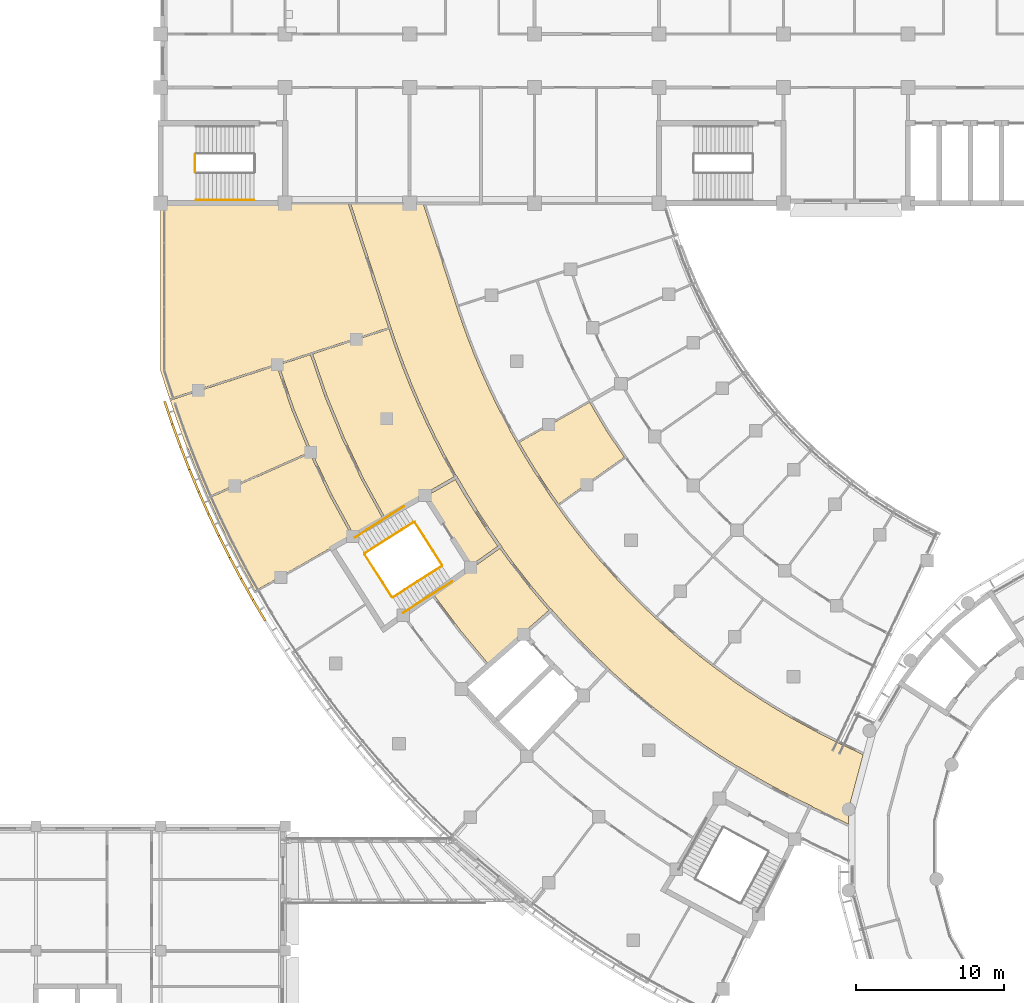
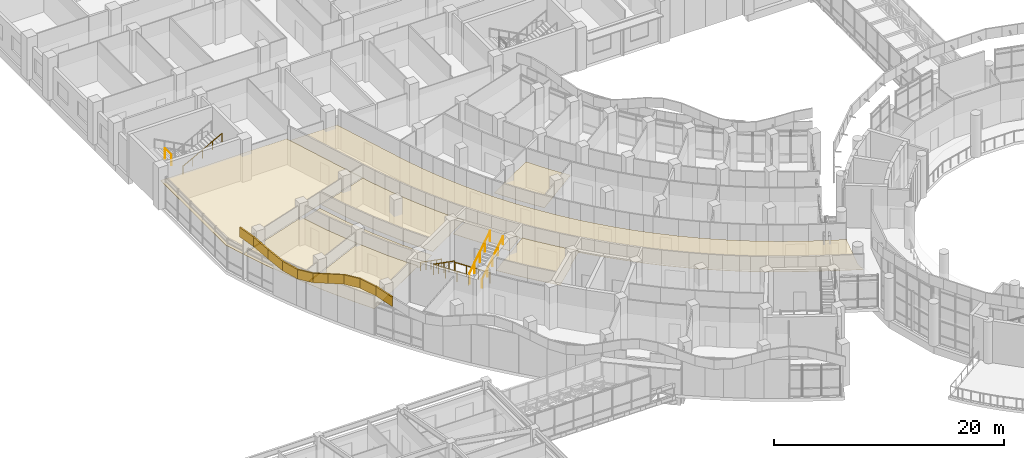
# One storey, part 120 of 136: 19 coverings, 8 railings.
"""IFC4 building model written with IfcOpenShell, lengths in metres."""

from ifc_helpers import new_model, si_unit, direction, frame, origin, origin_2d, place, context, subcontext, project, spatial, polyline, circle, outline, extrude, material, layer, layer_set, type_object, element, save


model = new_model("IFC4")

# Units and contexts
model_context = context("Model", 3, precision=1e-05, world=origin(), true_north=direction((0.0, 1.0)))
body_context = subcontext(model_context, "Body", "Model", "MODEL_VIEW")
ifc_project = project(units=[si_unit("LENGTHUNIT", "METRE"), si_unit("AREAUNIT", "SQUARE_METRE"), si_unit("VOLUMEUNIT", "CUBIC_METRE"), si_unit("PLANEANGLEUNIT", "RADIAN"), si_unit("MASSUNIT", "GRAM", prefix="KILO")], contexts=[model_context])

# Site, building, storey
site_placement = place(None, origin())
site = spatial("IfcSite", under=ifc_project, at=site_placement, CompositionType="ELEMENT")
building_placement = place(site_placement, origin())
building = spatial("IfcBuilding", under=site, at=building_placement, Name="Bougainvillea Quay General Hospital", CompositionType="ELEMENT")
storey_placement = place(building_placement, frame((0.0, 0.0, 5.39990234375)))
storey = spatial("IfcBuildingStorey", under=building, at=storey_placement, Name="L01", CompositionType="ELEMENT", Elevation=5.39990234375)

# Coverings
ifc_material_1 = material(Name="Powder-coated aluminium fascia, yellow", Category="aluminium")
ifc_layer_1 = layer(ifc_material_1, 0.14990234375)
ifc_layer_set_1 = layer_set([ifc_layer_1], Name="Powder-coated aluminium fascia, yellow")
covering_type_1 = type_object("IfcCoveringType", Name="Aluminium wave fascia ribbon yellow 150x1000", PredefinedType="CLADDING", material=ifc_layer_set_1)
covering_1_placement = place(storey_placement, frame((42.341796875, 104.27294921875, 4.79345703125), z_axis=(0.057824505395, -0.170866343942, 0.983595963332), x_axis=(0.314758293599, -0.93187351417, -0.180385615276)))
element("IfcCovering", 1, at=covering_1_placement, inside=storey, type_object=covering_type_1, Name="Fascia ribbon yellow a01 1", PredefinedType="CLADDING", context=body_context, shape_type="SweptSolid", body=[
    extrude(outline(polyline([(0.0, 0.0), (1.6536820130037626, 1.961050679483156e-17), (1.6553399472578052, -0.1500151977746576), (-0.00013235305105154666, -0.1499309061167371), (0.0, 0.0)])), origin(), (-0.180385615276, -0.000103526195, 0.983595963332), 1.0),
])
covering_2_placement = place(storey_placement, frame((42.8623046875, 102.73193359375, 4.49462890625), z_axis=(0.114893404693, -0.315956862906, 0.941791254122), x_axis=(0.322043168038, -0.885019191321, -0.336198198857)))
element("IfcCovering", 2, at=covering_2_placement, inside=storey, type_object=covering_type_1, Name="Fascia ribbon yellow a01 2", PredefinedType="CLADDING", context=body_context, shape_type="SweptSolid", body=[
    extrude(outline(polyline([(0.0, 0.0), (1.7307117350710381, -7.589415207398531e-19), (1.7326362803569935, -0.1500344460855474), (-0.0019860195850937208, -0.15001278653921776), (0.0, 0.0)])), origin(), (-0.336198198857, 6.8880984e-05, 0.941791254122), 1.0),
])
covering_3_placement = place(storey_placement, frame((43.419677734375, 101.2001953125, 3.912109375), z_axis=(0.112762471811, -0.288843468062, 0.950712404415), x_axis=(0.345708736142, -0.885629463018, -0.310074062104)))
element("IfcCovering", 3, at=covering_3_placement, inside=storey, type_object=covering_type_1, Name="Fascia ribbon yellow a01 3", PredefinedType="CLADDING", context=body_context, shape_type="SweptSolid", body=[
    extrude(outline(polyline([(0.0, 0.0), (1.7146819771940451, -5.3539258530049816e-17), (1.716454668848712, -0.15005241355141674), (-0.0017629584792098131, -0.15003544656599593), (0.0, 0.0)])), origin(), (-0.310074062104, -1.0057072e-05, 0.950712404415), 1.0),
])
covering_4_placement = place(storey_placement, frame((44.012451171875, 99.681640625, 3.380126953125), z_axis=(0.041426036719, -0.099404971831, 0.994184356675), x_axis=(0.382822613505, -0.917523505792, -0.107691517345)))
element("IfcCovering", 4, at=covering_4_placement, inside=storey, type_object=covering_type_1, Name="Fascia ribbon yellow a01 4", PredefinedType="CLADDING", context=body_context, shape_type="SweptSolid", body=[
    extrude(outline(polyline([(0.0, 0.0), (1.6396185910774097, 4.5370472786729343e-17), (1.641271698204925, -0.1501472966004906), (-0.0017788512898465033, -0.15005174616136865), (0.0, 0.0)])), origin(), (-0.107691517345, 4.510867e-05, 0.994184356675), 1.0),
])
covering_5_placement = place(storey_placement, frame((44.64013671875, 98.17724609375, 3.20361328125), z_axis=(-0.068732460231, 0.15468247062, 0.985570485655), x_axis=(0.400456116883, -0.900546546732, 0.169265518107)))
element("IfcCovering", 5, at=covering_5_placement, inside=storey, type_object=covering_type_1, Name="Fascia ribbon yellow a01 5", PredefinedType="CLADDING", context=body_context, shape_type="SweptSolid", body=[
    extrude(outline(polyline([(0.0, 0.0), (1.6540086611289877, 1.0140509037939033e-16), (1.6557798203722853, -0.14987297679314002), (-0.0018540431399815902, -0.15014494824621538), (0.0, 0.0)])), origin(), (0.169265518107, -4.6761825e-05, 0.985570485655), 1.0),
])
covering_6_placement = place(storey_placement, frame((45.302490234375, 96.687744140625, 3.484130859375), z_axis=(-0.142407330397, 0.301089784268, 0.942902483854), x_axis=(0.403048654266, -0.8524182528, 0.333068918677)))
element("IfcCovering", 6, at=covering_6_placement, inside=storey, type_object=covering_type_1, Name="Fascia ribbon yellow a01 6", PredefinedType="CLADDING", context=body_context, shape_type="SweptSolid", body=[
    extrude(outline(polyline([(0.0, 0.0), (1.7287289900910958, -9.170317500153957e-17), (1.7306374030804823, -0.1499056637102035), (-0.0018753132616025057, -0.14987327475676754), (0.0, 0.0)])), origin(), (0.333068918677, 3.6775401e-05, 0.942902483854), 1.0),
])
covering_7_placement = place(storey_placement, frame((45.999267578125, 95.214111328125, 4.060546875), z_axis=(-0.141373325437, 0.281720347242, 0.949024356276), x_axis=(0.425553294265, -0.848263888045, 0.315202744245)))
element("IfcCovering", 7, at=covering_7_placement, inside=storey, type_object=covering_type_1, Name="Fascia ribbon yellow a01 7", PredefinedType="CLADDING", context=body_context, shape_type="SweptSolid", body=[
    extrude(outline(polyline([(0.0, 0.0), (1.7176147292165649, 5.715778328072019e-17), (1.7195199845858573, -0.15001994408626637), (-0.0018720802692914849, -0.14990609149193435), (0.0, 0.0)])), origin(), (0.315202744245, 3.4864871e-05, 0.949024356276), 1.0),
])
covering_8_placement = place(storey_placement, frame((46.730224609375, 93.757080078125, 4.602294921875), z_axis=(-0.056146808611, 0.105579354146, 0.992824524204), x_axis=(0.465466216829, -0.876950252723, 0.119580329653)))
element("IfcCovering", 8, at=covering_8_placement, inside=storey, type_object=covering_type_1, Name="Fascia ribbon yellow a01 8", PredefinedType="CLADDING", context=body_context, shape_type="SweptSolid", body=[
    extrude(outline(polyline([(0.0, 0.0), (1.641705928716666, -1.9922214919421144e-17), (1.6436428462000627, -0.14999934149812766), (-0.0017002352174110115, -0.15002088566604244), (0.0, 0.0)])), origin(), (0.119580329653, 9.4335451e-05, 0.992824524204), 1.0),
])
covering_9_placement = place(storey_placement, frame((47.494384765625, 92.3173828125, 4.798583984375), z_axis=(0.077526067772, -0.137924283361, 0.987403970457), x_axis=(0.483137743307, -0.861129802724, -0.158219416801)))
element("IfcCovering", 9, at=covering_9_placement, inside=storey, type_object=covering_type_1, Name="Fascia ribbon yellow a01 9", PredefinedType="CLADDING", context=body_context, shape_type="SweptSolid", body=[
    extrude(outline(polyline([(0.0, 0.0), (1.6508946837457368, -1.2837631348586176e-16), (1.6527247104580822, -0.14994643381697811), (-0.0015957449354667193, -0.15000335889013247), (0.0, 0.0)])), origin(), (-0.158219416801, -0.000123580436, 0.987403970457), 1.0),
])
covering_10_placement = place(storey_placement, frame((48.2919921875, 90.895751953125, 4.536865234375), z_axis=(0.167928814875, -0.28354753566, 0.944140195181), x_axis=(0.48090238104, -0.812486070434, -0.329544056631)))
element("IfcCovering", 10, at=covering_10_placement, inside=storey, type_object=covering_type_1, Name="Fascia ribbon yellow a01 10", PredefinedType="CLADDING", context=body_context, shape_type="SweptSolid", body=[
    extrude(outline(polyline([(0.0, 0.0), (1.726545803364476, -3.564314642046096e-17), (1.7284251829035957, -0.14996981445706847), (-0.0018055359521578645, -0.14994826451414991), (0.0, 0.0)])), origin(), (-0.329544056631, -8.1137874e-05, 0.944140195181), 1.0),
])

# Railings
ifc_material_2 = material(Name="Stainless steel 304 balustrade", Category="steel")
railing_type_1 = type_object("IfcRailingType", Name="Stair guard 1100", PredefinedType="GUARDRAIL", material=ifc_material_2)
railing_1_placement = place(storey_placement, frame((44.330078125, 120.89990234375, 2.25)))
element("IfcRailing", 11, at=railing_1_placement, inside=storey, type_object=railing_type_1, Name="L01 ST-B1 stair guard 2", PredefinedType="GUARDRAIL", context=body_context, shape_type="SweptSolid", body=[
    extrude(circle(Radius=0.02392578125, at=origin_2d()), frame((0.0, 0.0, 1.076171875), z_axis=(0.0, -1.0, 0.0), x_axis=(1.0, 0.0, 0.0)), (0.0, 0.0, 1.0), 1.199951171875),
    extrude(circle(Radius=0.02099609375, at=origin_2d()), origin(), (0.0, 0.0, 1.0), 1.052001953125),
    extrude(circle(Radius=0.02099609375, at=origin_2d()), frame((0.0, -1.199951171875, 0.0)), (0.0, 0.0, 1.0), 1.052001953125),
])
railing_2_placement = place(storey_placement, frame((59.07275390625, 96.11279296875, 0.150146484375)))
element("IfcRailing", 12, at=railing_2_placement, inside=storey, type_object=railing_type_1, Name="L01 ST-W2 stair guard 1", PredefinedType="GUARDRAIL", context=body_context, shape_type="SweptSolid", body=[
    extrude(circle(Radius=0.02392578125, at=origin_2d()), frame((0.0, 0.0, 1.076171875), z_axis=(-0.743085730435, -0.474180380774, 0.472203942924), x_axis=(0.537930937374, -0.842988912511, 0.0)), (0.0, 0.0, 1.0), 4.447021484375),
    extrude(circle(Radius=0.02099609375, at=origin_2d()), origin(), (0.0, 0.0, 1.0), 1.052001953125),
    extrude(circle(Radius=0.02099609375, at=origin_2d()), frame((-0.826171875, -0.527099609375, 0.52490234375)), (0.0, 0.0, 1.0), 1.052001953125),
    extrude(circle(Radius=0.02099609375, at=origin_2d()), frame((-1.65234375, -1.05419921875, 1.0498046875)), (0.0, 0.0, 1.0), 1.052001953125),
    extrude(circle(Radius=0.02099609375, at=origin_2d()), frame((-2.478271484375, -1.58154296875, 1.574951171875)), (0.0, 0.0, 1.0), 1.052001953125),
    extrude(circle(Radius=0.02099609375, at=origin_2d()), frame((-3.304443359375, -2.108642578125, 2.099853515625)), (0.0, 0.0, 1.0), 1.052001953125),
])
railing_3_placement = place(storey_placement, frame((55.7529296875, 93.935302734375, 2.25)))
element("IfcRailing", 13, at=railing_3_placement, inside=storey, type_object=railing_type_1, Name="L01 ST-W2 stair guard 2", PredefinedType="GUARDRAIL", context=body_context, shape_type="SweptSolid", body=[
    extrude(circle(Radius=0.02392578125, at=origin_2d()), frame((0.0, 0.0, 1.076171875), z_axis=(0.537927596167, -0.842991044604, 0.0), x_axis=(0.842991044604, 0.537927596167, 0.0)), (0.0, 0.0, 1.0), 3.422119140625),
    extrude(circle(Radius=0.02099609375, at=origin_2d()), origin(), (0.0, 0.0, 1.0), 1.052001953125),
    extrude(circle(Radius=0.02099609375, at=origin_2d()), frame((0.613525390625, -0.961669921875, 0.0)), (0.0, 0.0, 1.0), 1.052001953125),
    extrude(circle(Radius=0.02099609375, at=origin_2d()), frame((1.227294921875, -1.923095703125, 0.0)), (0.0, 0.0, 1.0), 1.052001953125),
    extrude(circle(Radius=0.02099609375, at=origin_2d()), frame((1.8408203125, -2.884765625, 0.0)), (0.0, 0.0, 1.0), 1.052001953125),
])
railing_4_placement = place(storey_placement, frame((57.66259765625, 91.035400390625, 2.400146484375)))
element("IfcRailing", 14, at=railing_4_placement, inside=storey, type_object=railing_type_1, Name="L01 ST-W2 stair guard 3", PredefinedType="GUARDRAIL", context=body_context, shape_type="SweptSolid", body=[
    extrude(circle(Radius=0.02392578125, at=origin_2d()), frame((0.0, 0.0, 1.076171875), z_axis=(0.743129658366, 0.474118478845, 0.47219697042), x_axis=(-0.537858434103, 0.843035174156, 0.0)), (0.0, 0.0, 1.0), 4.447021484375),
    extrude(circle(Radius=0.02099609375, at=origin_2d()), origin(), (0.0, 0.0, 1.0), 1.052001953125),
    extrude(circle(Radius=0.02099609375, at=origin_2d()), frame((0.826171875, 0.527099609375, 0.52490234375)), (0.0, 0.0, 1.0), 1.052001953125),
    extrude(circle(Radius=0.02099609375, at=origin_2d()), frame((1.65234375, 1.05419921875, 1.0498046875)), (0.0, 0.0, 1.0), 1.052001953125),
    extrude(circle(Radius=0.02099609375, at=origin_2d()), frame((2.478515625, 1.581298828125, 1.574951171875)), (0.0, 0.0, 1.0), 1.052001953125),
    extrude(circle(Radius=0.02099609375, at=origin_2d()), frame((3.3046875, 2.1083984375, 2.099853515625)), (0.0, 0.0, 1.0), 1.052001953125),
])
railing_5_placement = place(storey_placement, frame((59.141845703125, 96.09765625, 0.0)))
element("IfcRailing", 15, at=railing_5_placement, inside=storey, type_object=railing_type_1, Name="L01 ST-W2 stair guard 4", PredefinedType="GUARDRAIL", context=body_context, shape_type="SweptSolid", body=[
    extrude(circle(Radius=0.02392578125, at=origin_2d()), frame((0.0, 0.0, 1.076171875), z_axis=(0.537876894364, -0.843023396181, 0.0), x_axis=(0.843023396181, 0.537876894364, 0.0)), (0.0, 0.0, 1.0), 3.421875),
    extrude(circle(Radius=0.02099609375, at=origin_2d()), origin(), (0.0, 0.0, 1.0), 1.052001953125),
    extrude(circle(Radius=0.02099609375, at=origin_2d()), frame((0.613525390625, -0.961669921875, 0.0)), (0.0, 0.0, 1.0), 1.052001953125),
    extrude(circle(Radius=0.02099609375, at=origin_2d()), frame((1.22705078125, -1.923095703125, 0.0)), (0.0, 0.0, 1.0), 1.052001953125),
    extrude(circle(Radius=0.02099609375, at=origin_2d()), frame((1.840576171875, -2.884765625, 0.0)), (0.0, 0.0, 1.0), 1.052001953125),
])
ifc_material_3 = material(Name="Stainless steel 304 handrail", Category="steel")
railing_type_2 = type_object("IfcRailingType", Name="Stair handrail 900", PredefinedType="HANDRAIL", material=ifc_material_3)
railing_6_placement = place(storey_placement, frame((44.3798828125, 117.824951171875, 2.400146484375)))
element("IfcRailing", 16, at=railing_6_placement, inside=storey, type_object=railing_type_2, Name="L01 ST-B1 stair handrail 2", PredefinedType="HANDRAIL", context=body_context, shape_type="SweptSolid", body=[
    extrude(circle(Radius=0.02392578125, at=origin_2d()), frame((0.0, 0.0, 0.8759765625), z_axis=(0.881502004561, 0.0, 0.472180279083), x_axis=(0.0, 1.0, 0.0)), (0.0, 0.0, 1.0), 4.447265625),
    extrude(circle(Radius=0.02099609375, at=origin_2d()), origin(), (0.0, 0.0, 1.0), 0.851806640625),
    extrude(circle(Radius=0.02099609375, at=origin_2d()), frame((0.97998046875, 0.0, 0.52490234375)), (0.0, 0.0, 1.0), 0.851806640625),
    extrude(circle(Radius=0.02099609375, at=origin_2d()), frame((1.9599609375, 0.0, 1.0498046875)), (0.0, 0.0, 1.0), 0.851806640625),
    extrude(circle(Radius=0.02099609375, at=origin_2d()), frame((2.940185546875, 0.0, 1.574951171875)), (0.0, 0.0, 1.0), 0.851806640625),
    extrude(circle(Radius=0.02099609375, at=origin_2d()), frame((3.920166015625, 0.0, 2.099853515625)), (0.0, 0.0, 1.0), 0.851806640625),
])
railing_7_placement = place(storey_placement, frame((58.400390625, 97.16650390625, 0.150146484375)))
element("IfcRailing", 17, at=railing_7_placement, inside=storey, type_object=railing_type_2, Name="L01 ST-W2 stair handrail 1", PredefinedType="HANDRAIL", context=body_context, shape_type="SweptSolid", body=[
    extrude(circle(Radius=0.02392578125, at=origin_2d()), frame((0.0, 0.0, 0.8759765625), z_axis=(-0.743105074823, -0.474137822399, 0.472216235578), x_axis=(0.537886675566, -0.843017155371, 0.0)), (0.0, 0.0, 1.0), 4.44677734375),
    extrude(circle(Radius=0.02099609375, at=origin_2d()), origin(), (0.0, 0.0, 1.0), 0.851806640625),
    extrude(circle(Radius=0.02099609375, at=origin_2d()), frame((-0.826171875, -0.527099609375, 0.52490234375)), (0.0, 0.0, 1.0), 0.851806640625),
    extrude(circle(Radius=0.02099609375, at=origin_2d()), frame((-1.65234375, -1.05419921875, 1.0498046875)), (0.0, 0.0, 1.0), 0.851806640625),
    extrude(circle(Radius=0.02099609375, at=origin_2d()), frame((-2.478271484375, -1.581298828125, 1.574951171875)), (0.0, 0.0, 1.0), 0.851806640625),
    extrude(circle(Radius=0.02099609375, at=origin_2d()), frame((-3.304443359375, -2.1083984375, 2.099853515625)), (0.0, 0.0, 1.0), 0.851806640625),
])
railing_8_placement = place(storey_placement, frame((58.335205078125, 89.9814453125, 2.400146484375)))
element("IfcRailing", 18, at=railing_8_placement, inside=storey, type_object=railing_type_2, Name="L01 ST-W2 stair handrail 2", PredefinedType="HANDRAIL", context=body_context, shape_type="SweptSolid", body=[
    extrude(circle(Radius=0.02392578125, at=origin_2d()), frame((0.0, 0.0, 0.8759765625), z_axis=(0.743085730435, 0.474180380774, 0.472203942924), x_axis=(-0.537930937374, 0.842988912511, 0.0)), (0.0, 0.0, 1.0), 4.447021484375),
    extrude(circle(Radius=0.02099609375, at=origin_2d()), origin(), (0.0, 0.0, 1.0), 0.851806640625),
    extrude(circle(Radius=0.02099609375, at=origin_2d()), frame((0.826171875, 0.527099609375, 0.52490234375)), (0.0, 0.0, 1.0), 0.851806640625),
    extrude(circle(Radius=0.02099609375, at=origin_2d()), frame((1.65234375, 1.05419921875, 1.0498046875)), (0.0, 0.0, 1.0), 0.851806640625),
    extrude(circle(Radius=0.02099609375, at=origin_2d()), frame((2.478271484375, 1.58154296875, 1.574951171875)), (0.0, 0.0, 1.0), 0.851806640625),
    extrude(circle(Radius=0.02099609375, at=origin_2d()), frame((3.304443359375, 2.108642578125, 2.099853515625)), (0.0, 0.0, 1.0), 0.851806640625),
])

# Coverings
ifc_material_4 = material(Name="Mineral fibre ceiling tile")
ifc_layer_2 = layer(ifc_material_4, 0.030029296875)
ifc_layer_set_2 = layer_set([ifc_layer_2], Name="Mineral fibre ceiling tile")
covering_type_2 = type_object("IfcCoveringType", Name="Suspended ceiling mineral fibre tile", PredefinedType="CEILING", material=ifc_layer_set_2)
covering_11_placement = place(storey_placement, frame((0.0, 0.0, 2.400146484375)))
element("IfcCovering", 19, at=covering_11_placement, inside=storey, type_object=covering_type_2, Name="Ceiling Outpatient Spine Corridor", PredefinedType="CEILING", context=body_context, shape_type="SweptSolid", body=[
    extrude(outline(polyline([(54.808837890625, 117.60009765625), (57.5341796875, 109.212646484375), (57.977783203125, 107.904052734375), (58.422119140625, 106.692626953125), (58.96044921875, 105.33056640625), (59.500732421875, 104.063232421875), (60.07275390625, 102.809814453125), (60.563232421875, 101.798583984375), (61.17333984375, 100.610107421875), (61.9296875, 99.231689453125), (61.94873046875, 99.242919921875), (61.950439453125, 99.242431640625), (61.99951171875, 99.156005859375), (62.695556640625, 97.967529296875), (63.42138671875, 96.7978515625), (64.176025390625, 95.64599609375), (64.9609375, 94.513427734375), (65.0185546875, 94.432373046875), (65.01806640625, 94.4306640625), (64.999755859375, 94.41796875), (65.7529296875, 93.38720703125), (67.063232421875, 91.71142578125), (68.292236328125, 90.256591796875), (68.308349609375, 90.271240234375), (68.310302734375, 90.271240234375), (68.375732421875, 90.196533203125), (69.297607421875, 89.1728515625), (70.24365234375, 88.172607421875), (71.216064453125, 87.196533203125), (72.212646484375, 86.245849609375), (72.285400390625, 86.177978515625), (72.285400390625, 86.17626953125), (72.270263671875, 86.160400390625), (73.55908203125, 85.000732421875), (75.324951171875, 83.530517578125), (76.678955078125, 82.485107421875), (77.75830078125, 81.6982421875), (78.85791015625, 80.938232421875), (79.799560546875, 80.318115234375), (80.88134765625, 79.640625), (80.892822265625, 79.659912109375), (80.89453125, 79.660400390625), (80.9794921875, 79.60888671875), (82.165771484375, 78.90771484375), (83.36865234375, 78.238037109375), (84.58837890625, 77.59814453125), (85.82373046875, 76.989013671875), (85.913330078125, 76.9462890625), (85.913818359375, 76.944580078125), (85.9033203125, 76.92333984375), (88.3798828125, 75.7421875), (88.3798828125, 76.740966796875), (89.386962890625, 80.4970703125), (89.354736328125, 80.42919921875), (87.880126953125, 81.132568359375), (87.87939453125, 81.13134765625), (87.74609375, 81.196533203125), (87.74658203125, 81.19775390625), (86.400390625, 81.87158203125), (86.399169921875, 81.869384765625), (86.334228515625, 81.904541015625), (86.268310546875, 81.9375), (86.26953125, 81.939697265625), (84.582763671875, 82.8564453125), (84.58154296875, 82.854248046875), (84.51806640625, 82.8916015625), (84.453369140625, 82.927001953125), (84.45458984375, 82.92919921875), (83.511962890625, 83.484375), (83.510986328125, 83.482666015625), (83.38427734375, 83.559326171875), (83.38525390625, 83.56103515625), (82.458251953125, 84.1396484375), (82.457275390625, 84.13818359375), (82.332763671875, 84.218017578125), (82.333740234375, 84.2197265625), (81.4208984375, 84.821044921875), (81.419677734375, 84.819580078125), (81.297119140625, 84.902587890625), (81.298095703125, 84.904296875), (80.401123046875, 85.52783203125), (80.39990234375, 85.526123046875), (80.34033203125, 85.570068359375), (80.279541015625, 85.6123046875), (80.28076171875, 85.614013671875), (79.280517578125, 86.35107421875), (79.279541015625, 86.349853515625), (79.1611328125, 86.439208984375), (79.162109375, 86.4404296875), (78.41455078125, 87.017333984375), (78.4130859375, 87.015380859375), (78.356201171875, 87.062255859375), (78.2978515625, 87.107421875), (78.29931640625, 87.109375), (77.0029296875, 88.17822265625), (77.0009765625, 88.176025390625), (76.9462890625, 88.22509765625), (76.889404296875, 88.271728515625), (76.89111328125, 88.27392578125), (75.42041015625, 89.585693359375), (75.4189453125, 89.583984375), (75.365234375, 89.634765625), (75.31005859375, 89.683837890625), (75.3115234375, 89.685546875), (74.6796875, 90.2841796875), (74.67822265625, 90.282958984375), (74.572021484375, 90.38623046875), (74.5732421875, 90.387451171875), (73.798095703125, 91.158203125), (73.796630859375, 91.156982421875), (73.69287109375, 91.2626953125), (73.6943359375, 91.263916015625), (72.93798828125, 92.0546875), (72.936279296875, 92.052978515625), (72.886962890625, 92.10791015625), (72.8359375, 92.161376953125), (72.837646484375, 92.162841796875), (71.7099609375, 93.416748046875), (71.7080078125, 93.415283203125), (71.660400390625, 93.4716796875), (71.611083984375, 93.526611328125), (71.61279296875, 93.528076171875), (70.906982421875, 94.36376953125), (70.905517578125, 94.362548828125), (70.811279296875, 94.476806640625), (70.812744140625, 94.47802734375), (70.12841796875, 95.330078125), (70.126953125, 95.328857421875), (70.03564453125, 95.445556640625), (70.037109375, 95.44677734375), (69.37353515625, 96.316650390625), (69.37158203125, 96.3154296875), (69.32861328125, 96.37548828125), (69.283935546875, 96.43408203125), (69.28564453125, 96.435546875), (68.27197265625, 97.856689453125), (68.269775390625, 97.85498046875), (68.229248046875, 97.91650390625), (68.186279296875, 97.9765625), (68.1884765625, 97.97802734375), (67.262451171875, 99.382080078125), (67.260498046875, 99.380859375), (67.2216796875, 99.443603515625), (67.18115234375, 99.50537109375), (67.18310546875, 99.506591796875), (66.609375, 100.4384765625), (66.60791015625, 100.4375), (66.53173828125, 100.564453125), (66.533447265625, 100.5654296875), (66.05908203125, 101.379638671875), (66.057861328125, 101.37890625), (65.984375, 101.508056640625), (65.98583984375, 101.5087890625), (65.662109375, 102.091552734375), (65.660400390625, 102.0908203125), (65.590087890625, 102.22119140625), (65.591552734375, 102.221923828125), (64.8154296875, 103.69970703125), (64.813232421875, 103.69873046875), (64.781005859375, 103.76513671875), (64.746826171875, 103.83056640625), (64.748779296875, 103.83154296875), (64.271484375, 104.8154296875), (64.269775390625, 104.814697265625), (64.206787109375, 104.94873046875), (64.20849609375, 104.949462890625), (63.756103515625, 105.9443359375), (63.75439453125, 105.943603515625), (63.694580078125, 106.0791015625), (63.6962890625, 106.080078125), (63.2685546875, 107.08544921875), (63.266845703125, 107.084716796875), (63.210693359375, 107.2216796875), (63.21240234375, 107.222412109375), (62.81005859375, 108.238525390625), (62.808349609375, 108.23779296875), (62.755615234375, 108.376220703125), (62.75732421875, 108.376708984375), (62.380859375, 109.403564453125), (62.379150390625, 109.40283203125), (62.329833984375, 109.54248046875), (62.33154296875, 109.543212890625), (61.98193359375, 110.57421875), (61.978515625, 110.582763671875), (61.97412109375, 110.58154296875), (61.957275390625, 110.647216796875), (61.933837890625, 110.716064453125), (61.93505859375, 110.716796875), (59.70556640625, 117.576904296875), (59.777099609375, 117.60009765625), (54.808837890625, 117.60009765625)])), origin(), (0.0, 0.0, 1.0), 0.030029296875),
])
covering_12_placement = place(storey_placement, frame((0.0, 0.0, 2.7001953125)))
element("IfcCovering", 20, at=covering_12_placement, inside=storey, type_object=covering_type_2, Name="Ceiling Smoke-proof Vestibule ST-W2", PredefinedType="CEILING", context=body_context, shape_type="SweptSolid", body=[
    extrude(outline(polyline([(63.953857421875, 95.615234375), (63.9560546875, 95.61669921875), (63.306884765625, 96.607666015625), (63.3046875, 96.606201171875), (63.252685546875, 96.690185546875), (63.198486328125, 96.77294921875), (63.20068359375, 96.774169921875), (62.576416015625, 97.780517578125), (62.57421875, 97.779052734375), (62.5244140625, 97.8642578125), (62.472412109375, 97.9482421875), (62.474365234375, 97.94970703125), (61.876708984375, 98.97021484375), (59.96337890625, 97.883056640625), (60.6396484375, 96.728515625), (61.397216796875, 95.5068359375), (62.185791015625, 94.304931640625), (62.948486328125, 93.205078125), (64.740478515625, 94.480224609375), (64.06640625, 95.452880859375), (64.064208984375, 95.45166015625), (64.010009765625, 95.5341796875), (63.953857421875, 95.615234375)])), origin(), (0.0, 0.0, 1.0), 0.02978515625),
])
covering_13_placement = place(storey_placement, frame((0.0, 0.0, 2.7001953125)))
element("IfcCovering", 21, at=covering_13_placement, inside=storey, type_object=covering_type_2, Name="Ceiling Urology Waiting Hall 01W101", PredefinedType="CEILING", context=body_context, shape_type="SweptSolid", body=[
    extrude(outline(polyline([(66.4970703125, 88.548095703125), (66.43115234375, 88.623291015625), (68.18017578125, 90.156982421875), (66.994384765625, 91.560546875), (66.9921875, 91.558837890625), (66.94677734375, 91.61669921875), (66.8994140625, 91.6728515625), (66.9013671875, 91.6748046875), (65.6787109375, 93.238525390625), (65.6767578125, 93.2373046875), (65.633056640625, 93.296875), (65.587646484375, 93.35498046875), (65.589599609375, 93.3564453125), (64.876953125, 94.331787109375), (63.0625, 93.040771484375), (63.063232421875, 93.039794921875), (62.900390625, 92.925537109375), (62.89892578125, 92.92578125), (62.87109375, 92.9658203125), (60.408203125, 91.21240234375), (62.201904296875, 88.821533203125), (64.1474609375, 86.487548828125), (66.4970703125, 88.548095703125)])), origin(), (0.0, 0.0, 1.0), 0.02978515625),
])
covering_14_placement = place(storey_placement, frame((0.0, 0.0, 2.7001953125)))
element("IfcCovering", 22, at=covering_14_placement, inside=storey, type_object=covering_type_2, Name="Ceiling Orthopaedic Clinics", PredefinedType="CEILING", context=body_context, shape_type="SweptSolid", body=[
    extrude(outline(polyline([(42.610595703125, 104.41650390625), (57.375732421875, 109.213134765625), (54.65869140625, 117.576904296875), (54.72998046875, 117.60009765625), (42.0, 117.60009765625), (42.0, 106.2958984375), (42.610595703125, 104.41650390625)])), origin(), (0.0, 0.0, 1.0), 0.02978515625),
])
covering_15_placement = place(storey_placement, frame((0.0, 0.0, 2.400146484375)))
element("IfcCovering", 23, at=covering_15_placement, inside=storey, type_object=covering_type_2, Name="Ceiling Clinic Corridor 01W2", PredefinedType="CEILING", context=body_context, shape_type="SweptSolid", body=[
    extrude(outline(polyline([(55.572265625, 98.920166015625), (55.541015625, 98.986083984375), (55.506103515625, 99.0498046875), (55.510009765625, 99.052001953125), (54.271728515625, 101.675537109375), (54.26806640625, 101.674072265625), (54.240478515625, 101.74169921875), (54.209228515625, 101.807861328125), (54.21240234375, 101.809326171875), (53.108642578125, 104.4921875), (53.1044921875, 104.49072265625), (53.080810546875, 104.5595703125), (53.05322265625, 104.626708984375), (53.05712890625, 104.62841796875), (52.10791015625, 107.392578125), (49.969482421875, 106.697998046875), (50.980224609375, 103.75537109375), (52.1826171875, 100.833251953125), (53.53076171875, 97.97509765625), (55.023193359375, 95.245849609375), (56.978759765625, 96.35791015625), (55.576171875, 98.922119140625), (55.572265625, 98.920166015625)])), origin(), (0.0, 0.0, 1.0), 0.030029296875),
])
covering_16_placement = place(storey_placement, frame((0.0, 0.0, 2.7001953125)))
element("IfcCovering", 24, at=covering_16_placement, inside=storey, type_object=covering_type_2, Name="Ceiling Orthopaedic Waiting Hall 01W201", PredefinedType="CEILING", context=body_context, shape_type="SweptSolid", body=[
    extrude(outline(polyline([(61.076416015625, 100.474853515625), (61.074462890625, 100.47412109375), (61.040771484375, 100.539794921875), (61.005126953125, 100.604736328125), (61.0068359375, 100.605712890625), (60.462646484375, 101.66552734375), (60.461181640625, 101.664794921875), (60.39501953125, 101.79736328125), (60.396484375, 101.79833984375), (59.969482421875, 102.679443359375), (59.968017578125, 102.6787109375), (59.90478515625, 102.812744140625), (59.90625, 102.8134765625), (59.39404296875, 103.935302734375), (59.392333984375, 103.9345703125), (59.33251953125, 104.070068359375), (59.334228515625, 104.07080078125), (58.8505859375, 105.205322265625), (58.848876953125, 105.20458984375), (58.79248046875, 105.341552734375), (58.79443359375, 105.34228515625), (58.30908203125, 106.5703125), (58.307373046875, 106.56982421875), (58.254638671875, 106.708251953125), (58.25634765625, 106.708740234375), (57.86181640625, 107.784423828125), (57.860107421875, 107.783935546875), (57.810791015625, 107.923583984375), (57.8125, 107.92431640625), (57.4072265625, 109.1181640625), (52.25048828125, 107.43896484375), (53.22119140625, 104.612548828125), (54.377685546875, 101.80224609375), (55.6748046875, 99.053955078125), (57.109130859375, 96.431884765625), (59.7138671875, 97.913818359375), (59.689208984375, 97.955810546875), (59.689697265625, 97.95751953125), (59.86181640625, 98.056884765625), (59.8623046875, 98.0556640625), (61.799560546875, 99.15673828125), (61.076416015625, 100.474853515625)])), origin(), (0.0, 0.0, 1.0), 0.02978515625),
])
covering_17_placement = place(storey_placement, frame((0.0, 0.0, 2.7001953125)))
element("IfcCovering", 25, at=covering_17_placement, inside=storey, type_object=covering_type_2, Name="Ceiling Orthopaedic Consulting Room 01W211", PredefinedType="CEILING", context=body_context, shape_type="SweptSolid", body=[
    extrude(outline(polyline([(48.375244140625, 91.464599609375), (54.892822265625, 95.171875), (53.43212890625, 97.843017578125), (53.42822265625, 97.841064453125), (53.397216796875, 97.906982421875), (53.3623046875, 97.970703125), (53.365966796875, 97.972900390625), (52.07666015625, 100.70654296875), (52.0732421875, 100.705078125), (52.064453125, 100.7265625), (45.2294921875, 97.709716796875), (45.88720703125, 96.26220703125), (46.650634765625, 94.6904296875), (47.4521484375, 93.137451171875), (48.375244140625, 91.464599609375)])), origin(), (0.0, 0.0, 1.0), 0.02978515625),
])
covering_18_placement = place(storey_placement, frame((0.0, 0.0, 2.7001953125)))
element("IfcCovering", 26, at=covering_18_placement, inside=storey, type_object=covering_type_2, Name="Ceiling Orthopaedic Examination Room 01W212", PredefinedType="CEILING", context=body_context, shape_type="SweptSolid", body=[
    extrude(outline(polyline([(43.791015625, 101.069091796875), (43.83740234375, 101.087646484375), (44.773193359375, 98.770263671875), (45.18896484375, 97.801025390625), (52.02392578125, 100.81787109375), (52.01416015625, 100.8388671875), (52.017578125, 100.84033203125), (50.867431640625, 103.635009765625), (50.863525390625, 103.6337890625), (50.83984375, 103.70263671875), (50.81201171875, 103.769775390625), (50.816162109375, 103.771484375), (49.826904296875, 106.651611328125), (42.64404296875, 104.316650390625), (43.18798828125, 102.7099609375), (43.791015625, 101.069091796875)])), origin(), (0.0, 0.0, 1.0), 0.02978515625),
])
covering_19_placement = place(storey_placement, frame((0.0, 0.0, 2.7001953125)))
element("IfcCovering", 27, at=covering_19_placement, inside=storey, type_object=covering_type_2, Name="Ceiling Pain Management Consulting Room 01W102", PredefinedType="CEILING", context=body_context, shape_type="SweptSolid", body=[
    extrude(outline(polyline([(68.831298828125, 97.330810546875), (73.2607421875, 100.4833984375), (73.2470703125, 100.501953125), (73.25, 100.504150390625), (72.082275390625, 102.236572265625), (72.07861328125, 102.234375), (72.04150390625, 102.296875), (72.0009765625, 102.357177734375), (72.00439453125, 102.359619140625), (70.95556640625, 104.134765625), (70.9521484375, 104.13427734375), (70.9287109375, 104.177001953125), (66.17724609375, 101.474853515625), (66.699462890625, 100.57861328125), (67.34814453125, 99.5244140625), (68.352783203125, 98.00146484375), (68.831298828125, 97.330810546875)])), origin(), (0.0, 0.0, 1.0), 0.02978515625),
])

save(model, "model.ifc")
